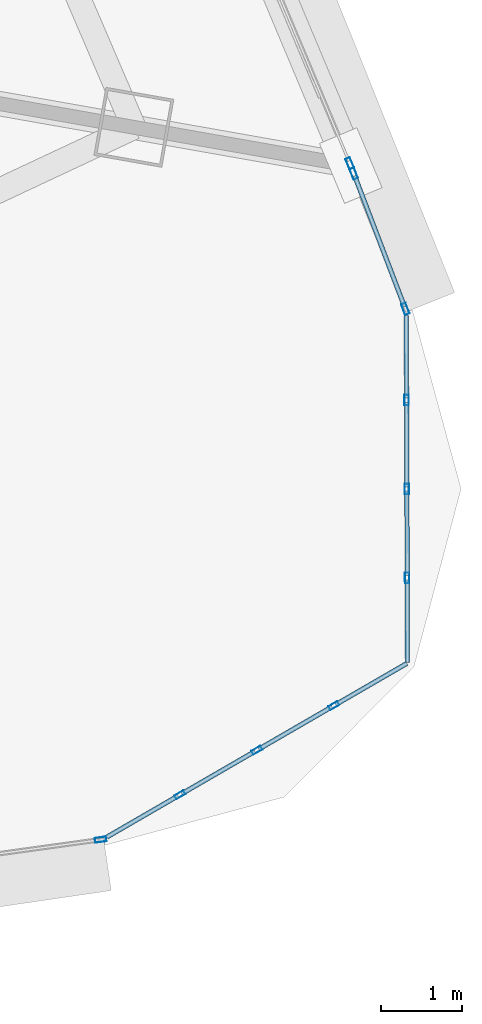
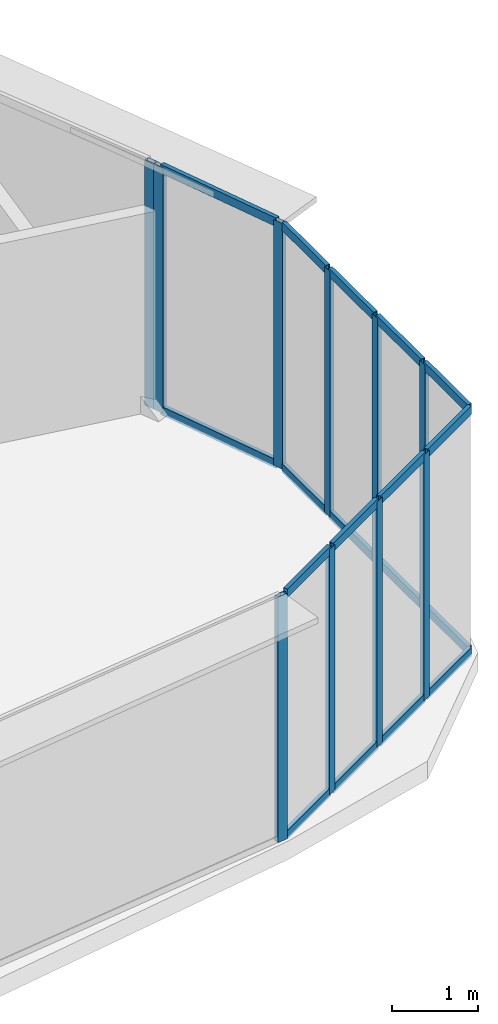
# One storey, part 26 of 37: 28 members, 5 elements without a shape of their own.
"""IFC4 building model written with IfcOpenShell, lengths in metres."""

from ifc_helpers import new_model, si_unit, direction, frame, origin, origin_2d, place, context, subcontext, project, spatial, hollow_rectangle, extrude, source, transform, mapped, material, layer, layer_set, material_profile, profile_set, type_object, element, aggregate, save


model = new_model("IFC4")

# Units and contexts
model_context = context("Model", 3, precision=1e-05, world=origin(), true_north=direction((0.0, 1.0)))
body_context = subcontext(model_context, "Body", "Model", "MODEL_VIEW")
ifc_project = project(units=[si_unit("LENGTHUNIT", "METRE"), si_unit("AREAUNIT", "SQUARE_METRE"), si_unit("VOLUMEUNIT", "CUBIC_METRE"), si_unit("PLANEANGLEUNIT", "RADIAN"), si_unit("MASSUNIT", "GRAM", prefix="KILO"), si_unit("THERMODYNAMICTEMPERATUREUNIT", "KELVIN"), si_unit("POWERUNIT", "WATT")], contexts=[model_context])

# Site, building, storey
site_placement = place(None, origin())
site = spatial("IfcSite", under=ifc_project, at=site_placement, CompositionType="ELEMENT")
building_placement = place(site_placement, origin())
building = spatial("IfcBuilding", under=site, at=building_placement, Name="Yunzhuo Pagoda Commons", CompositionType="ELEMENT")
storey_placement = place(building_placement, frame((0.0, 0.0, 240.800048828125)))
storey = spatial("IfcBuildingStorey", under=building, at=storey_placement, Name="L60", CompositionType="ELEMENT", Elevation=240.800048828125)

# Curtain wall, member
ifc_material = material(Name="Anodized aluminium 6063-T6", Category="aluminium")
ifc_layer_1 = layer(ifc_material, 0.139892578125)
ifc_layer_set_1 = layer_set([ifc_layer_1], Name="Anodized aluminium 6063-T6")
curtain_wall_type_1 = type_object("IfcCurtainWallType", Name="CW-HI High-Zone Ribbon Curtain Wall", PredefinedType="NOTDEFINED", material=ifc_layer_set_1)
curtain_wall_1_placement = place(storey_placement, origin())
curtain_wall_1 = element("IfcCurtainWall", 1, at=curtain_wall_1_placement, inside=storey, type_object=curtain_wall_type_1, Name="L60 curtain wall CW-L60-F1B5", PredefinedType="NOTDEFINED")
ifc_material_profile_1 = material_profile(ifc_material, hollow_rectangle(XDim=0.06005859375, YDim=0.139892578125, WallThickness=0.00341796875, at=origin_2d()), Name="Anodized aluminium 6063-T6")
ifc_profile_set_1 = profile_set([ifc_material_profile_1], Name="Anodized aluminium 6063-T6")
member_type_1 = type_object("IfcMemberType", Name="CW-HI-M Mullion RHS 140x60x3.5", PredefinedType="MULLION", material=ifc_profile_set_1)
shared_shape_1 = source(origin(), body_context, "Body", "SweptSolid", [
    extrude(hollow_rectangle(XDim=0.06005859375, YDim=0.139892578125, WallThickness=0.00341796875, at=origin_2d()), origin(), (0.0, 0.0, 1.0), 3.47021484375),
])
member_1_placement = place(storey_placement, frame((79.5244140625, 19.29833984375, 0.0), z_axis=(0.0, 0.0, 1.0), x_axis=(-0.137250412651, 0.990536382082, 0.0)))
member_1 = element("IfcMember", 2, at=member_1_placement, type_object=member_type_1, Name="CW mullion 2", PredefinedType="MULLION", context=body_context, shape_type="MappedRepresentation", body=[
    mapped(shared_shape_1, transform((0.0, 0.0, 0.0), scale=1.0)),
])
aggregate(curtain_wall_1, [member_1])

curtain_wall_2_placement = place(storey_placement, origin())
curtain_wall_2 = element("IfcCurtainWall", 3, at=curtain_wall_2_placement, inside=storey, type_object=curtain_wall_type_1, Name="L60 curtain wall CW-L60-F2B2", PredefinedType="NOTDEFINED")
member_2_placement = place(storey_placement, frame((82.5927734375, 27.6259765625, 0.0), z_axis=(0.0, 0.0, 1.0), x_axis=(-0.922008372235, -0.387169938824, 0.0)))
member_2 = element("IfcMember", 4, at=member_2_placement, type_object=member_type_1, Name="CW mullion 1", PredefinedType="MULLION", context=body_context, shape_type="MappedRepresentation", body=[
    mapped(shared_shape_1, transform((0.0, 0.0, 0.0), scale=1.0)),
])
aggregate(curtain_wall_2, [member_2])

# Curtain wall, members
curtain_wall_3_placement = place(storey_placement, origin())
curtain_wall_3 = element("IfcCurtainWall", 5, at=curtain_wall_3_placement, inside=storey, type_object=curtain_wall_type_1, Name="L60 curtain wall CW-L60-F2B1", PredefinedType="NOTDEFINED")
member_3_placement = place(storey_placement, frame((83.277099609375, 25.833251953125, 0.0), z_axis=(0.0, 0.0, 1.0), x_axis=(-0.934441330585, -0.356117115139, 0.0)))
member_3 = element("IfcMember", 6, at=member_3_placement, type_object=member_type_1, Name="CW mullion 1", PredefinedType="MULLION", context=body_context, shape_type="MappedRepresentation", body=[
    mapped(shared_shape_1, transform((0.0, 0.0, 0.0), scale=1.0)),
])
member_4_placement = place(storey_placement, frame((82.641845703125, 27.500244140625, 0.0), z_axis=(0.0, 0.0, 1.0), x_axis=(-0.934441330585, -0.356117115139, 0.0)))
member_4 = element("IfcMember", 7, at=member_4_placement, type_object=member_type_1, Name="CW mullion 2", PredefinedType="MULLION", context=body_context, shape_type="MappedRepresentation", body=[
    mapped(shared_shape_1, transform((0.0, 0.0, 0.0), scale=1.0)),
])
ifc_material_profile_2 = material_profile(ifc_material, hollow_rectangle(XDim=0.054931640625, YDim=0.1201171875, WallThickness=0.00341796875, at=origin_2d()), Name="Anodized aluminium 6063-T6")
ifc_profile_set_2 = profile_set([ifc_material_profile_2], Name="Anodized aluminium 6063-T6")
member_type_2 = type_object("IfcMemberType", Name="CW-HI-T Transom RHS 120x55x3.5", PredefinedType="USERDEFINED", material=ifc_profile_set_2)
shared_shape_2 = source(origin(), body_context, "Body", "SweptSolid", [
    extrude(hollow_rectangle(XDim=0.054931640625, YDim=0.1201171875, WallThickness=0.00341796875, at=origin_2d()), origin(), (0.0, 0.0, 1.0), 1.723876953125),
])
member_5_placement = place(storey_placement, frame((83.266357421875, 25.861328125, 0.02734375), z_axis=(-0.356054221933, 0.934465296864, 0.0), x_axis=(-0.934465296864, -0.356054221933, 0.0)))
member_5 = element("IfcMember", 8, at=member_5_placement, type_object=member_type_2, Name="CW transom 1.1", ObjectType="TRANSOM", PredefinedType="USERDEFINED", context=body_context, shape_type="MappedRepresentation", body=[
    mapped(shared_shape_2, transform((0.0, 0.0, 0.0), scale=1.0)),
])
member_6_placement = place(storey_placement, frame((83.266357421875, 25.861328125, 3.4423828125), z_axis=(-0.356054221933, 0.934465296864, 0.0), x_axis=(-0.934465296864, -0.356054221933, 0.0)))
member_6 = element("IfcMember", 9, at=member_6_placement, type_object=member_type_2, Name="CW transom 1.2", ObjectType="TRANSOM", PredefinedType="USERDEFINED", context=body_context, shape_type="MappedRepresentation", body=[
    mapped(shared_shape_2, transform((0.0, 0.0, 0.0), scale=1.0)),
])
aggregate(curtain_wall_3, [member_3, member_4, member_5, member_6])

ifc_layer_2 = layer(ifc_material, 0.1298828125)
ifc_layer_set_2 = layer_set([ifc_layer_2], Name="Anodized aluminium 6063-T6")
curtain_wall_type_2 = type_object("IfcCurtainWallType", Name="CW-VTX Rounded Corner Curtain Wall", PredefinedType="NOTDEFINED", material=ifc_layer_set_2)
curtain_wall_4_placement = place(storey_placement, origin())
curtain_wall_4 = element("IfcCurtainWall", 10, at=curtain_wall_4_placement, inside=storey, type_object=curtain_wall_type_2, Name="L60 curtain wall CW-L60-VTX2S1", PredefinedType="NOTDEFINED")
ifc_material_profile_3 = material_profile(ifc_material, hollow_rectangle(XDim=0.054931640625, YDim=0.1298828125, WallThickness=0.00341796875, at=origin_2d()), Name="Anodized aluminium 6063-T6")
ifc_profile_set_3 = profile_set([ifc_material_profile_3], Name="Anodized aluminium 6063-T6")
member_type_3 = type_object("IfcMemberType", Name="CW-VTX-M Mullion RHS 130x55x3.5", PredefinedType="MULLION", material=ifc_profile_set_3)
shared_shape_3 = source(origin(), body_context, "Body", "SweptSolid", [
    extrude(hollow_rectangle(XDim=0.054931640625, YDim=0.1298828125, WallThickness=0.00341796875, at=origin_2d()), origin(), (0.0, 0.0, 1.0), 3.47021484375),
])
member_7_placement = place(storey_placement, frame((80.50146484375, 19.850830078125, 0.0), z_axis=(0.0, 0.0, 1.0), x_axis=(-0.501035370268, 0.865426806692, 0.0)))
member_7 = element("IfcMember", 11, at=member_7_placement, type_object=member_type_3, Name="CW mullion 2", PredefinedType="MULLION", context=body_context, shape_type="MappedRepresentation", body=[
    mapped(shared_shape_3, transform((0.0, 0.0, 0.0), scale=1.0)),
])
member_8_placement = place(storey_placement, frame((81.448974609375, 20.3994140625, 0.0), z_axis=(0.0, 0.0, 1.0), x_axis=(-0.501035370268, 0.865426806692, 0.0)))
member_8 = element("IfcMember", 12, at=member_8_placement, type_object=member_type_3, Name="CW mullion 3", PredefinedType="MULLION", context=body_context, shape_type="MappedRepresentation", body=[
    mapped(shared_shape_3, transform((0.0, 0.0, 0.0), scale=1.0)),
])
member_9_placement = place(storey_placement, frame((82.39599609375, 20.94775390625, 0.0), z_axis=(0.0, 0.0, 1.0), x_axis=(-0.501035370268, 0.865426806692, 0.0)))
member_9 = element("IfcMember", 13, at=member_9_placement, type_object=member_type_3, Name="CW mullion 4", PredefinedType="MULLION", context=body_context, shape_type="MappedRepresentation", body=[
    mapped(shared_shape_3, transform((0.0, 0.0, 0.0), scale=1.0)),
])

curtain_wall_5_placement = place(storey_placement, origin())
curtain_wall_5 = element("IfcCurtainWall", 14, at=curtain_wall_5_placement, inside=storey, type_object=curtain_wall_type_2, Name="L60 curtain wall CW-L60-VTX2S2", PredefinedType="NOTDEFINED")
member_10_placement = place(storey_placement, frame((83.2998046875, 22.521484375, 0.0), z_axis=(0.0, 0.0, 1.0), x_axis=(-0.999993571429, -0.003585679809, 0.0)))
member_10 = element("IfcMember", 15, at=member_10_placement, type_object=member_type_3, Name="CW mullion 2", PredefinedType="MULLION", context=body_context, shape_type="MappedRepresentation", body=[
    mapped(shared_shape_3, transform((0.0, 0.0, 0.0), scale=1.0)),
])
member_11_placement = place(storey_placement, frame((83.295654296875, 23.615966796875, 0.0), z_axis=(0.0, 0.0, 1.0), x_axis=(-0.999993571429, -0.003585679809, 0.0)))
member_11 = element("IfcMember", 16, at=member_11_placement, type_object=member_type_3, Name="CW mullion 3", PredefinedType="MULLION", context=body_context, shape_type="MappedRepresentation", body=[
    mapped(shared_shape_3, transform((0.0, 0.0, 0.0), scale=1.0)),
])
member_12_placement = place(storey_placement, frame((83.291748046875, 24.710693359375, 0.0), z_axis=(0.0, 0.0, 1.0), x_axis=(-0.999993571429, -0.003585679809, 0.0)))
member_12 = element("IfcMember", 17, at=member_12_placement, type_object=member_type_3, Name="CW mullion 4", PredefinedType="MULLION", context=body_context, shape_type="MappedRepresentation", body=[
    mapped(shared_shape_3, transform((0.0, 0.0, 0.0), scale=1.0)),
])

# Member
ifc_material_profile_4 = material_profile(ifc_material, hollow_rectangle(XDim=0.054931640625, YDim=0.1201171875, WallThickness=0.00341796875, at=origin_2d()), Name="Anodized aluminium 6063-T6")
ifc_profile_set_4 = profile_set([ifc_material_profile_4], Name="Anodized aluminium 6063-T6")
member_type_4 = type_object("IfcMemberType", Name="CW-VTX-T Transom RHS 120x55x3.5", PredefinedType="USERDEFINED", material=ifc_profile_set_4)
shared_shape_4 = source(origin(), body_context, "Body", "SweptSolid", [
    extrude(hollow_rectangle(XDim=0.054931640625, YDim=0.1201171875, WallThickness=0.00341796875, at=origin_2d()), origin(), (0.0, 0.0, 1.0), 1.011962890625),
])
member_13_placement = place(storey_placement, frame((79.601806640625, 19.330078125, 0.02734375), z_axis=(0.865393248242, 0.501093330526, 0.0), x_axis=(-0.501093330526, 0.865393248242, 0.0)))
member_13 = element("IfcMember", 18, at=member_13_placement, type_object=member_type_4, Name="CW transom 1.1", ObjectType="TRANSOM", PredefinedType="USERDEFINED", context=body_context, shape_type="MappedRepresentation", body=[
    mapped(shared_shape_4, transform((0.0, 0.0, 0.0), scale=1.0)),
])

member_14_placement = place(storey_placement, frame((79.601806640625, 19.330078125, 3.4423828125), z_axis=(0.865393248242, 0.501093330526, 0.0), x_axis=(-0.501093330526, 0.865393248242, 0.0)))
member_14 = element("IfcMember", 19, at=member_14_placement, type_object=member_type_4, Name="CW transom 1.2", ObjectType="TRANSOM", PredefinedType="USERDEFINED", context=body_context, shape_type="MappedRepresentation", body=[
    mapped(shared_shape_4, transform((0.0, 0.0, 0.0), scale=1.0)),
])

member_15_placement = place(storey_placement, frame((83.291748046875, 24.73828125, 0.02734375), z_axis=(-0.003618794157, 0.999993452143, 0.0), x_axis=(-0.999993452143, -0.003618794157, 0.0)))
member_15 = element("IfcMember", 20, at=member_15_placement, type_object=member_type_4, Name="CW transom 4.1", ObjectType="TRANSOM", PredefinedType="USERDEFINED", context=body_context, shape_type="MappedRepresentation", body=[
    mapped(shared_shape_4, transform((0.0, 0.0, 0.0), scale=1.0)),
])

member_16_placement = place(storey_placement, frame((83.291748046875, 24.73828125, 3.4423828125), z_axis=(-0.003618794157, 0.999993452143, 0.0), x_axis=(-0.999993452143, -0.003618794157, 0.0)))
member_16 = element("IfcMember", 21, at=member_16_placement, type_object=member_type_4, Name="CW transom 4.2", ObjectType="TRANSOM", PredefinedType="USERDEFINED", context=body_context, shape_type="MappedRepresentation", body=[
    mapped(shared_shape_4, transform((0.0, 0.0, 0.0), scale=1.0)),
])

shared_shape_5 = source(origin(), body_context, "Body", "SweptSolid", [
    extrude(hollow_rectangle(XDim=0.054931640625, YDim=0.1201171875, WallThickness=0.00341796875, at=origin_2d()), origin(), (0.0, 0.0, 1.0), 1.039794921875),
])
member_17_placement = place(storey_placement, frame((81.47265625, 20.4130859375, 0.02734375), z_axis=(0.865426285481, 0.501036270542, 0.0), x_axis=(-0.501036270542, 0.865426285481, 0.0)))
member_17 = element("IfcMember", 22, at=member_17_placement, type_object=member_type_4, Name="CW transom 3.1", ObjectType="TRANSOM", PredefinedType="USERDEFINED", context=body_context, shape_type="MappedRepresentation", body=[
    mapped(shared_shape_5, transform((0.0, 0.0, 0.0), scale=1.0)),
])

member_18_placement = place(storey_placement, frame((81.47265625, 20.4130859375, 3.4423828125), z_axis=(0.865426285481, 0.501036270542, 0.0), x_axis=(-0.501036270542, 0.865426285481, 0.0)))
member_18 = element("IfcMember", 23, at=member_18_placement, type_object=member_type_4, Name="CW transom 3.2", ObjectType="TRANSOM", PredefinedType="USERDEFINED", context=body_context, shape_type="MappedRepresentation", body=[
    mapped(shared_shape_5, transform((0.0, 0.0, 0.0), scale=1.0)),
])

member_19_placement = place(storey_placement, frame((83.2998046875, 22.548828125, 0.02734375), z_axis=(-0.003991515514, 0.99999203387, 0.0), x_axis=(-0.99999203387, -0.003991515514, 0.0)))
member_19 = element("IfcMember", 24, at=member_19_placement, type_object=member_type_4, Name="CW transom 2.1", ObjectType="TRANSOM", PredefinedType="USERDEFINED", context=body_context, shape_type="MappedRepresentation", body=[
    mapped(shared_shape_5, transform((0.0, 0.0, 0.0), scale=1.0)),
])

member_20_placement = place(storey_placement, frame((83.2998046875, 22.548828125, 3.4423828125), z_axis=(-0.003991515514, 0.99999203387, 0.0), x_axis=(-0.99999203387, -0.003991515514, 0.0)))
member_20 = element("IfcMember", 25, at=member_20_placement, type_object=member_type_4, Name="CW transom 2.2", ObjectType="TRANSOM", PredefinedType="USERDEFINED", context=body_context, shape_type="MappedRepresentation", body=[
    mapped(shared_shape_5, transform((0.0, 0.0, 0.0), scale=1.0)),
])

member_21_placement = place(storey_placement, frame((83.295654296875, 23.6435546875, 0.02734375), z_axis=(-0.003756723901, 0.999992943488, 0.0), x_axis=(-0.999992943488, -0.003756723901, 0.0)))
member_21 = element("IfcMember", 26, at=member_21_placement, type_object=member_type_4, Name="CW transom 3.1", ObjectType="TRANSOM", PredefinedType="USERDEFINED", context=body_context, shape_type="MappedRepresentation", body=[
    mapped(shared_shape_5, transform((0.0, 0.0, 0.0), scale=1.0)),
])

member_22_placement = place(storey_placement, frame((83.295654296875, 23.6435546875, 3.4423828125), z_axis=(-0.003756723901, 0.999992943488, 0.0), x_axis=(-0.999992943488, -0.003756723901, 0.0)))
member_22 = element("IfcMember", 27, at=member_22_placement, type_object=member_type_4, Name="CW transom 3.2", ObjectType="TRANSOM", PredefinedType="USERDEFINED", context=body_context, shape_type="MappedRepresentation", body=[
    mapped(shared_shape_5, transform((0.0, 0.0, 0.0), scale=1.0)),
])

shared_shape_6 = source(origin(), body_context, "Body", "SweptSolid", [
    extrude(hollow_rectangle(XDim=0.054931640625, YDim=0.1201171875, WallThickness=0.00341796875, at=origin_2d()), origin(), (0.0, 0.0, 1.0), 1.01220703125),
])
member_23_placement = place(storey_placement, frame((82.419921875, 20.961669921875, 0.02734375), z_axis=(0.865453807894, 0.500988728817, 0.0), x_axis=(-0.500988728817, 0.865453807894, 0.0)))
member_23 = element("IfcMember", 28, at=member_23_placement, type_object=member_type_4, Name="CW transom 4.1", ObjectType="TRANSOM", PredefinedType="USERDEFINED", context=body_context, shape_type="MappedRepresentation", body=[
    mapped(shared_shape_6, transform((0.0, 0.0, 0.0), scale=1.0)),
])

member_24_placement = place(storey_placement, frame((82.419921875, 20.961669921875, 3.4423828125), z_axis=(0.865453807894, 0.500988728817, 0.0), x_axis=(-0.500988728817, 0.865453807894, 0.0)))
member_24 = element("IfcMember", 29, at=member_24_placement, type_object=member_type_4, Name="CW transom 4.2", ObjectType="TRANSOM", PredefinedType="USERDEFINED", context=body_context, shape_type="MappedRepresentation", body=[
    mapped(shared_shape_6, transform((0.0, 0.0, 0.0), scale=1.0)),
])

member_25_placement = place(storey_placement, frame((83.30322265625, 21.48193359375, 0.02734375), z_axis=(-0.003376729422, 0.999994298833, 0.0), x_axis=(-0.999994298833, -0.003376729422, 0.0)))
member_25 = element("IfcMember", 30, at=member_25_placement, type_object=member_type_4, Name="CW transom 1.1", ObjectType="TRANSOM", PredefinedType="USERDEFINED", context=body_context, shape_type="MappedRepresentation", body=[
    mapped(shared_shape_6, transform((0.0, 0.0, 0.0), scale=1.0)),
])

member_26_placement = place(storey_placement, frame((83.30322265625, 21.48193359375, 3.4423828125), z_axis=(-0.003376729422, 0.999994298833, 0.0), x_axis=(-0.999994298833, -0.003376729422, 0.0)))
member_26 = element("IfcMember", 31, at=member_26_placement, type_object=member_type_4, Name="CW transom 1.2", ObjectType="TRANSOM", PredefinedType="USERDEFINED", context=body_context, shape_type="MappedRepresentation", body=[
    mapped(shared_shape_6, transform((0.0, 0.0, 0.0), scale=1.0)),
])

aggregate(curtain_wall_5, [member_10, member_11, member_12, member_25, member_26, member_19, member_20, member_21, member_22, member_15, member_16])

shared_shape_7 = source(origin(), body_context, "Body", "SweptSolid", [
    extrude(hollow_rectangle(XDim=0.054931640625, YDim=0.1201171875, WallThickness=0.00341796875, at=origin_2d()), origin(), (0.0, 0.0, 1.0), 1.03955078125),
])
member_27_placement = place(storey_placement, frame((80.525390625, 19.86474609375, 0.02734375), z_axis=(0.865367327112, 0.50113809391, 0.0), x_axis=(-0.50113809391, 0.865367327112, 0.0)))
member_27 = element("IfcMember", 32, at=member_27_placement, type_object=member_type_4, Name="CW transom 2.1", ObjectType="TRANSOM", PredefinedType="USERDEFINED", context=body_context, shape_type="MappedRepresentation", body=[
    mapped(shared_shape_7, transform((0.0, 0.0, 0.0), scale=1.0)),
])

member_28_placement = place(storey_placement, frame((80.525390625, 19.86474609375, 3.4423828125), z_axis=(0.865367327112, 0.50113809391, 0.0), x_axis=(-0.50113809391, 0.865367327112, 0.0)))
member_28 = element("IfcMember", 33, at=member_28_placement, type_object=member_type_4, Name="CW transom 2.2", ObjectType="TRANSOM", PredefinedType="USERDEFINED", context=body_context, shape_type="MappedRepresentation", body=[
    mapped(shared_shape_7, transform((0.0, 0.0, 0.0), scale=1.0)),
])

aggregate(curtain_wall_4, [member_7, member_8, member_9, member_13, member_14, member_27, member_28, member_17, member_18, member_23, member_24])

save(model, "model.ifc")
